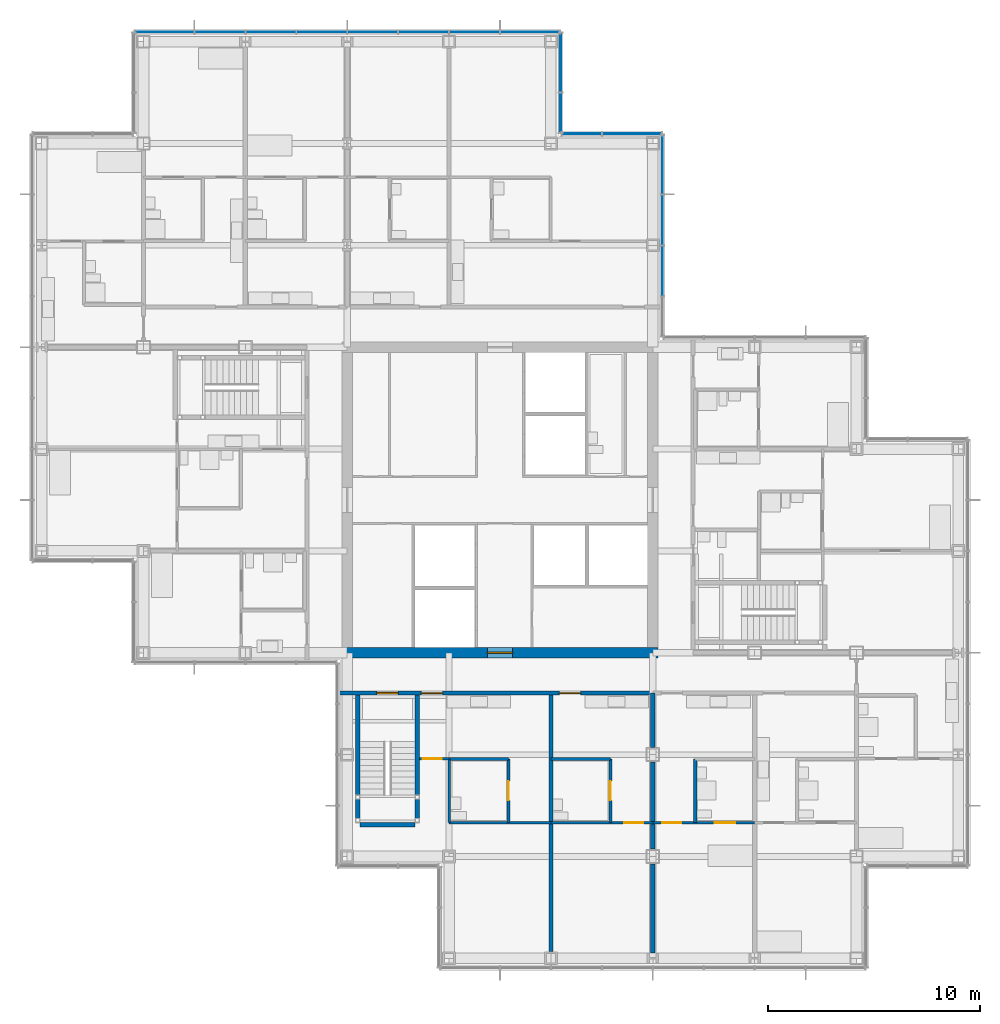
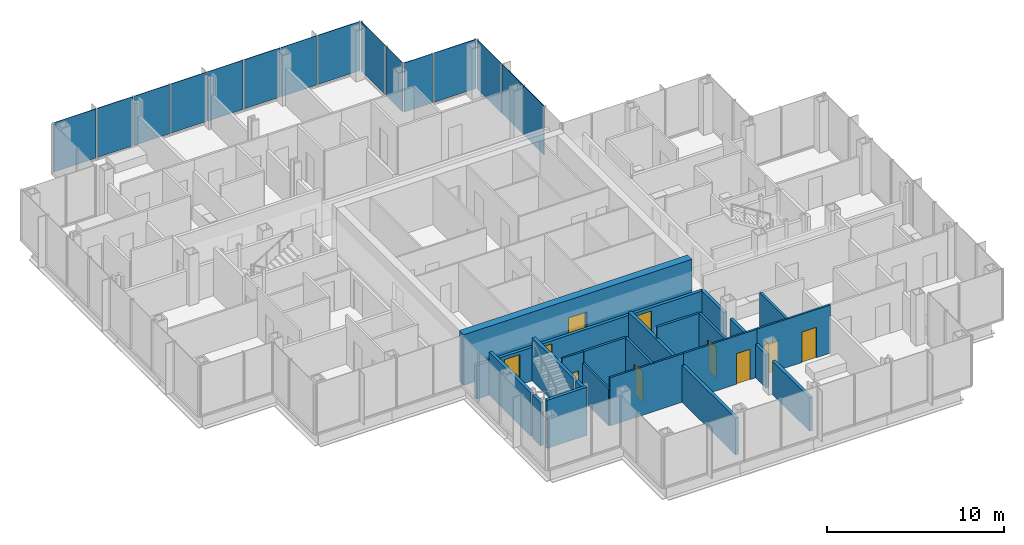
# One storey, part 13 of 20: 21 walls, 15 plates, 10 doors, 10 openings, 4 elements without a shape of their own.
"""IFC4 building model written with IfcOpenShell, lengths in metres."""

from ifc_helpers import new_model, si_unit, direction, frame, frame_2d, origin, origin_2d, place, context, subcontext, project, spatial, rectangle, extrude, material, layer, layer_set, type_object, element, fill, aggregate, save


model = new_model("IFC4")

# Units and contexts
model_context = context("Model", 3, precision=1e-05, world=origin(), true_north=direction((0.0, 1.0)))
body_context = subcontext(model_context, "Body", "Model", "MODEL_VIEW")
ifc_project = project(units=[si_unit("LENGTHUNIT", "METRE"), si_unit("AREAUNIT", "SQUARE_METRE"), si_unit("VOLUMEUNIT", "CUBIC_METRE"), si_unit("PLANEANGLEUNIT", "RADIAN"), si_unit("MASSUNIT", "GRAM", prefix="KILO")], contexts=[model_context])

# Site, building, storey
site_placement = place(None, origin())
site = spatial("IfcSite", under=ifc_project, at=site_placement, CompositionType="ELEMENT")
building_placement = place(site_placement, origin())
building = spatial("IfcBuilding", under=site, at=building_placement, Name="Kvirike Care Tower", CompositionType="ELEMENT")
storey_placement = place(building_placement, frame((0.0, 0.0, 112.0)))
storey = spatial("IfcBuildingStorey", under=building, at=storey_placement, Name="L30", CompositionType="ELEMENT", Elevation=112.0)

# Curtain wall, plates
ifc_material_1 = material(Name="Anodised aluminium stick system", Category="aluminium")
curtain_wall_type = type_object("IfcCurtainWallType", Name="CW-B STICK CURTAIN WALL", PredefinedType="NOTDEFINED", material=ifc_material_1)
curtain_wall_1_placement = place(storey_placement, origin())
curtain_wall_1 = element("IfcCurtainWall", 1, at=curtain_wall_1_placement, inside=storey, type_object=curtain_wall_type, Name="Curtain wall L30 face 5", PredefinedType="NOTDEFINED")
ifc_material_2 = material(Name="Tinted double glazed unit", Category="glass")
ifc_layer_1 = layer(ifc_material_2, 0.035888671875)
ifc_layer_set_1 = layer_set([ifc_layer_1], Name="TINTED VISION PANEL 36")
plate_type = type_object("IfcPlateType", Name="TINTED VISION PANEL 36", PredefinedType="CURTAIN_PANEL", material=ifc_layer_set_1)
plate_1_placement = place(storey_placement, frame((29.260009765625, 46.800048828125, 0.10009765625), z_axis=(0.0, 0.0, 1.0), x_axis=(0.0, 1.0, 0.0)))
plate_1 = element("IfcPlate", 2, at=plate_1_placement, type_object=plate_type, Name="CW-B panel L30 face 5.2", PredefinedType="CURTAIN_PANEL", context=body_context, shape_type="SweptSolid", body=[
    extrude(rectangle(XDim=2.3349609375, YDim=0.035888671875, at=origin_2d()), origin(), (0.0, 0.0, 1.0), 3.39990234375),
])
plate_2_placement = place(storey_placement, frame((29.260009765625, 49.199951171875, 0.10009765625), z_axis=(0.0, 0.0, 1.0), x_axis=(0.0, 1.0, 0.0)))
plate_2 = element("IfcPlate", 3, at=plate_2_placement, type_object=plate_type, Name="CW-B panel L30 face 5.3", PredefinedType="CURTAIN_PANEL", context=body_context, shape_type="SweptSolid", body=[
    extrude(rectangle(XDim=2.3349609375, YDim=0.035888671875, at=origin_2d()), origin(), (0.0, 0.0, 1.0), 3.39990234375),
])
plate_3_placement = place(storey_placement, frame((29.260009765625, 51.813720703125, 0.10009765625), z_axis=(0.0, 0.0, 1.0), x_axis=(0.0, 1.0, 0.0)))
plate_3 = element("IfcPlate", 4, at=plate_3_placement, type_object=plate_type, Name="CW-B panel L30 face 5.4", PredefinedType="CURTAIN_PANEL", context=body_context, shape_type="SweptSolid", body=[
    extrude(rectangle(XDim=2.762451171875, YDim=0.035888671875, at=origin_2d()), origin(), (0.0, 0.0, 1.0), 3.39990234375),
])
aggregate(curtain_wall_1, [plate_1, plate_2, plate_3])

curtain_wall_2_placement = place(storey_placement, origin())
curtain_wall_2 = element("IfcCurtainWall", 5, at=curtain_wall_2_placement, inside=storey, type_object=curtain_wall_type, Name="Curtain wall L30 face 6", PredefinedType="NOTDEFINED")
plate_4_placement = place(storey_placement, frame((27.813720703125, 53.260009765625, 0.10009765625), z_axis=(0.0, 0.0, 1.0), x_axis=(-1.0, 0.0, 0.0)))
plate_4 = element("IfcPlate", 6, at=plate_4_placement, type_object=plate_type, Name="CW-B panel L30 face 6.1", PredefinedType="CURTAIN_PANEL", context=body_context, shape_type="SweptSolid", body=[
    extrude(rectangle(XDim=2.762451171875, YDim=0.035888671875, at=origin_2d()), origin(), (0.0, 0.0, 1.0), 3.39990234375),
])
plate_5_placement = place(storey_placement, frame((25.4462890625, 53.260009765625, 0.10009765625), z_axis=(0.0, 0.0, 1.0), x_axis=(-1.0, 0.0, 0.0)))
plate_5 = element("IfcPlate", 7, at=plate_5_placement, type_object=plate_type, Name="CW-B panel L30 face 6.2", PredefinedType="CURTAIN_PANEL", context=body_context, shape_type="SweptSolid", body=[
    extrude(rectangle(XDim=1.842529296875, YDim=0.035888671875, at=origin_2d()), origin(), (0.0, 0.0, 1.0), 3.39990234375),
])
aggregate(curtain_wall_2, [plate_4, plate_5])

curtain_wall_3_placement = place(storey_placement, origin())
curtain_wall_3 = element("IfcCurtainWall", 8, at=curtain_wall_3_placement, inside=storey, type_object=curtain_wall_type, Name="Curtain wall L30 face 7", PredefinedType="NOTDEFINED")
plate_6_placement = place(storey_placement, frame((24.4599609375, 54.246337890625, 0.10009765625), z_axis=(0.0, 0.0, 1.0), x_axis=(0.0, 1.0, 0.0)))
plate_6 = element("IfcPlate", 9, at=plate_6_placement, type_object=plate_type, Name="CW-B panel L30 face 7.1", PredefinedType="CURTAIN_PANEL", context=body_context, shape_type="SweptSolid", body=[
    extrude(rectangle(XDim=1.842529296875, YDim=0.035888671875, at=origin_2d()), origin(), (0.0, 0.0, 1.0), 3.39990234375),
])
plate_7_placement = place(storey_placement, frame((24.4599609375, 56.61376953125, 0.10009765625), z_axis=(0.0, 0.0, 1.0), x_axis=(0.0, 1.0, 0.0)))
plate_7 = element("IfcPlate", 10, at=plate_7_placement, type_object=plate_type, Name="CW-B panel L30 face 7.2", PredefinedType="CURTAIN_PANEL", context=body_context, shape_type="SweptSolid", body=[
    extrude(rectangle(XDim=2.762451171875, YDim=0.035888671875, at=origin_2d()), origin(), (0.0, 0.0, 1.0), 3.39990234375),
])
aggregate(curtain_wall_3, [plate_6, plate_7])

curtain_wall_4_placement = place(storey_placement, origin())
curtain_wall_4 = element("IfcCurtainWall", 11, at=curtain_wall_4_placement, inside=storey, type_object=curtain_wall_type, Name="Curtain wall L30 face 8", PredefinedType="NOTDEFINED")
plate_8_placement = place(storey_placement, frame((23.013671875, 58.06005859375, 0.10009765625), z_axis=(0.0, 0.0, 1.0), x_axis=(-1.0, 0.0, 0.0)))
plate_8 = element("IfcPlate", 12, at=plate_8_placement, type_object=plate_type, Name="CW-B panel L30 face 8.1", PredefinedType="CURTAIN_PANEL", context=body_context, shape_type="SweptSolid", body=[
    extrude(rectangle(XDim=2.762451171875, YDim=0.035888671875, at=origin_2d()), origin(), (0.0, 0.0, 1.0), 3.39990234375),
])
plate_9_placement = place(storey_placement, frame((20.39990234375, 58.06005859375, 0.10009765625), z_axis=(0.0, 0.0, 1.0), x_axis=(-1.0, 0.0, 0.0)))
plate_9 = element("IfcPlate", 13, at=plate_9_placement, type_object=plate_type, Name="CW-B panel L30 face 8.2", PredefinedType="CURTAIN_PANEL", context=body_context, shape_type="SweptSolid", body=[
    extrude(rectangle(XDim=2.3349609375, YDim=0.035888671875, at=origin_2d()), origin(), (0.0, 0.0, 1.0), 3.39990234375),
])
plate_10_placement = place(storey_placement, frame((18.0, 58.06005859375, 0.10009765625), z_axis=(0.0, 0.0, 1.0), x_axis=(-1.0, 0.0, 0.0)))
plate_10 = element("IfcPlate", 14, at=plate_10_placement, type_object=plate_type, Name="CW-B panel L30 face 8.3", PredefinedType="CURTAIN_PANEL", context=body_context, shape_type="SweptSolid", body=[
    extrude(rectangle(XDim=2.3349609375, YDim=0.035888671875, at=origin_2d()), origin(), (0.0, 0.0, 1.0), 3.39990234375),
])
plate_11_placement = place(storey_placement, frame((15.60009765625, 58.06005859375, 0.10009765625), z_axis=(0.0, 0.0, 1.0), x_axis=(-1.0, 0.0, 0.0)))
plate_11 = element("IfcPlate", 15, at=plate_11_placement, type_object=plate_type, Name="CW-B panel L30 face 8.4", PredefinedType="CURTAIN_PANEL", context=body_context, shape_type="SweptSolid", body=[
    extrude(rectangle(XDim=2.3349609375, YDim=0.035888671875, at=origin_2d()), origin(), (0.0, 0.0, 1.0), 3.39990234375),
])
plate_12_placement = place(storey_placement, frame((13.199951171875, 58.06005859375, 0.10009765625), z_axis=(0.0, 0.0, 1.0), x_axis=(-1.0, 0.0, 0.0)))
plate_12 = element("IfcPlate", 16, at=plate_12_placement, type_object=plate_type, Name="CW-B panel L30 face 8.5", PredefinedType="CURTAIN_PANEL", context=body_context, shape_type="SweptSolid", body=[
    extrude(rectangle(XDim=2.3349609375, YDim=0.035888671875, at=origin_2d()), origin(), (0.0, 0.0, 1.0), 3.39990234375),
])
plate_13_placement = place(storey_placement, frame((10.800048828125, 58.06005859375, 0.10009765625), z_axis=(0.0, 0.0, 1.0), x_axis=(-1.0, 0.0, 0.0)))
plate_13 = element("IfcPlate", 17, at=plate_13_placement, type_object=plate_type, Name="CW-B panel L30 face 8.6", PredefinedType="CURTAIN_PANEL", context=body_context, shape_type="SweptSolid", body=[
    extrude(rectangle(XDim=2.3349609375, YDim=0.035888671875, at=origin_2d()), origin(), (0.0, 0.0, 1.0), 3.39990234375),
])
plate_14_placement = place(storey_placement, frame((8.39990234375, 58.06005859375, 0.10009765625), z_axis=(0.0, 0.0, 1.0), x_axis=(-1.0, 0.0, 0.0)))
plate_14 = element("IfcPlate", 18, at=plate_14_placement, type_object=plate_type, Name="CW-B panel L30 face 8.7", PredefinedType="CURTAIN_PANEL", context=body_context, shape_type="SweptSolid", body=[
    extrude(rectangle(XDim=2.3349609375, YDim=0.035888671875, at=origin_2d()), origin(), (0.0, 0.0, 1.0), 3.39990234375),
])
plate_15_placement = place(storey_placement, frame((5.7861328125, 58.06005859375, 0.10009765625), z_axis=(0.0, 0.0, 1.0), x_axis=(-1.0, 0.0, 0.0)))
plate_15 = element("IfcPlate", 19, at=plate_15_placement, type_object=plate_type, Name="CW-B panel L30 face 8.8", PredefinedType="CURTAIN_PANEL", context=body_context, shape_type="SweptSolid", body=[
    extrude(rectangle(XDim=2.762451171875, YDim=0.035888671875, at=origin_2d()), origin(), (0.0, 0.0, 1.0), 3.39990234375),
])
aggregate(curtain_wall_4, [plate_8, plate_9, plate_10, plate_11, plate_12, plate_13, plate_14, plate_15])

# Wall, opening, door
ifc_material_3 = material(Name="Moisture-resistant board partition", Category="gypsum")
ifc_layer_2 = layer(ifc_material_3, 0.14990234375)
ifc_layer_set_2 = layer_set([ifc_layer_2], Name="BATHROOM WALL 150")
wall_type_1 = type_object("IfcWallType", Name="BATHROOM WALL 150", PredefinedType="PARTITIONING", material=ifc_layer_set_2)
wall_1_placement = place(storey_placement, frame((22.0, 20.800048828125, 0.0), z_axis=(0.0, 0.0, 1.0), x_axis=(0.0, 1.0, 0.0)))
wall_1 = element("IfcWall", 20, at=wall_1_placement, inside=storey, type_object=wall_type_1, Name="Bathroom Wall 150 L30", PredefinedType="PARTITIONING", context=body_context, shape_type="SweptSolid", body=[
    extrude(rectangle(XDim=3.0, YDim=0.14990234375, at=frame_2d((1.5, 0.0))), origin(), (0.0, 0.0, 1.0), 3.330078125),
])
opening_1_placement = place(wall_1_placement, frame((1.050048828125, 0.0, 0.0)))
opening_1 = element("IfcOpeningElement", 21, at=opening_1_placement, cuts=wall_1, Name="Opening 30-019", PredefinedType="OPENING", context=body_context, shape_type="SweptSolid", body=[
    extrude(rectangle(XDim=0.89990234375, YDim=2.10009765625, at=frame_2d((0.449951171875, 1.050048828125))), frame((0.0, 0.08544921875, 0.0), z_axis=(0.0, -1.0, 0.0), x_axis=(1.0, 0.0, 0.0)), (0.0, 0.0, 1.0), 0.1708984375),
])
ifc_material_4 = material(Name="Timber door set", Category="wood")
door_type_1 = type_object("IfcDoorType", Name="BATHROOM DOOR 900", OperationType="SINGLE_SWING_RIGHT", PredefinedType="DOOR", material=ifc_material_4)
door_1_placement = place(opening_1_placement, origin())
door_1 = element("IfcDoor", 22, at=door_1_placement, inside=storey, type_object=door_type_1, Name="Accessible WC door", OperationType="SINGLE_SWING_RIGHT", OverallHeight=2.10009765625, OverallWidth=0.89990234375, PredefinedType="DOOR", context=body_context, shape_type="SweptSolid", body=[
    extrude(rectangle(XDim=0.89990234375, YDim=2.10009765625, at=frame_2d((0.449951171875, 1.050048828125))), frame((0.0, 0.02197265625, 0.0), z_axis=(0.0, -1.0, 0.0), x_axis=(1.0, 0.0, 0.0)), (0.0, 0.0, 1.0), 0.0439453125),
])
fill(opening_1, door_1)

# Wall
wall_2_placement = place(storey_placement, frame((19.199951171875, 23.800048828125, 0.0), z_axis=(0.0, 0.0, 1.0), x_axis=(1.0, 0.0, 0.0)))
element("IfcWall", 23, at=wall_2_placement, inside=storey, type_object=wall_type_1, Name="Bathroom Wall 150 L30", PredefinedType="PARTITIONING", context=body_context, shape_type="SweptSolid", body=[
    extrude(rectangle(XDim=2.800048828125, YDim=0.14990234375, at=frame_2d((1.39990234375, 0.0))), origin(), (0.0, 0.0, 1.0), 3.330078125),
])

# Wall, opening, door
wall_3_placement = place(storey_placement, frame((26.800048828125, 20.800048828125, 0.0), z_axis=(0.0, 0.0, 1.0), x_axis=(0.0, 1.0, 0.0)))
wall_3 = element("IfcWall", 24, at=wall_3_placement, inside=storey, type_object=wall_type_1, Name="Bathroom Wall 150 L30", PredefinedType="PARTITIONING", context=body_context, shape_type="SweptSolid", body=[
    extrude(rectangle(XDim=3.0, YDim=0.14990234375, at=frame_2d((1.5, 0.0))), origin(), (0.0, 0.0, 1.0), 3.330078125),
])
opening_2_placement = place(wall_3_placement, frame((1.050048828125, 0.0, 0.0)))
opening_2 = element("IfcOpeningElement", 25, at=opening_2_placement, cuts=wall_3, Name="Opening 30-021", PredefinedType="OPENING", context=body_context, shape_type="SweptSolid", body=[
    extrude(rectangle(XDim=0.89990234375, YDim=2.10009765625, at=frame_2d((0.449951171875, 1.050048828125))), frame((0.0, 0.08544921875, 0.0), z_axis=(0.0, -1.0, 0.0), x_axis=(1.0, 0.0, 0.0)), (0.0, 0.0, 1.0), 0.1708984375),
])
door_2_placement = place(opening_2_placement, origin())
door_2 = element("IfcDoor", 26, at=door_2_placement, inside=storey, type_object=door_type_1, Name="Staff WC door", OperationType="SINGLE_SWING_RIGHT", OverallHeight=2.10009765625, OverallWidth=0.89990234375, PredefinedType="DOOR", context=body_context, shape_type="SweptSolid", body=[
    extrude(rectangle(XDim=0.89990234375, YDim=2.10009765625, at=frame_2d((0.449951171875, 1.050048828125))), frame((0.0, 0.02197265625, 0.0), z_axis=(0.0, -1.0, 0.0), x_axis=(1.0, 0.0, 0.0)), (0.0, 0.0, 1.0), 0.0439453125),
])
fill(opening_2, door_2)

# Walls
wall_4_placement = place(storey_placement, frame((24.0, 23.800048828125, 0.0), z_axis=(0.0, 0.0, 1.0), x_axis=(1.0, 0.0, 0.0)))
element("IfcWall", 27, at=wall_4_placement, inside=storey, type_object=wall_type_1, Name="Bathroom Wall 150 L30", PredefinedType="PARTITIONING", context=body_context, shape_type="SweptSolid", body=[
    extrude(rectangle(XDim=2.800048828125, YDim=0.14990234375, at=frame_2d((1.39990234375, 0.0))), origin(), (0.0, 0.0, 1.0), 3.330078125),
])
wall_5_placement = place(storey_placement, frame((30.800048828125, 20.800048828125, 0.0), z_axis=(0.0, 0.0, 1.0), x_axis=(0.0, 1.0, 0.0)))
element("IfcWall", 28, at=wall_5_placement, inside=storey, type_object=wall_type_1, Name="Bathroom Wall 150 L30", PredefinedType="PARTITIONING", context=body_context, shape_type="SweptSolid", body=[
    extrude(rectangle(XDim=3.0, YDim=0.14990234375, at=frame_2d((1.5, 0.0))), origin(), (0.0, 0.0, 1.0), 3.330078125),
])

# Wall, opening, door
ifc_material_5 = material(Name="Concrete C50/60", Category="concrete")
ifc_layer_3 = layer(ifc_material_5, 0.5)
ifc_layer_set_3 = layer_set([ifc_layer_3], Name="CORE WALL 500 C50-60")
wall_type_2 = type_object("IfcWallType", Name="CORE WALL 500 C50-60", PredefinedType="SHEAR", material=ifc_layer_set_3)
wall_6_placement = place(storey_placement, frame((14.14990234375, 28.800048828125, -0.169921875), z_axis=(0.0, 0.0, 1.0), x_axis=(1.0, 0.0, 0.0)))
wall_6 = element("IfcWall", 29, at=wall_6_placement, inside=storey, type_object=wall_type_2, Name="Core wall S L30", PredefinedType="SHEAR", context=body_context, shape_type="SweptSolid", body=[
    extrude(rectangle(XDim=14.900146484375, YDim=0.5, at=frame_2d((7.4501953125, 0.0))), origin(), (0.0, 0.0, 1.0), 3.5),
])
opening_3_placement = place(wall_6_placement, frame((6.85009765625, 0.0, 0.169921875)))
opening_3 = element("IfcOpeningElement", 30, at=opening_3_placement, cuts=wall_6, Name="Opening 30-062", PredefinedType="OPENING", context=body_context, shape_type="SweptSolid", body=[
    extrude(rectangle(XDim=1.199951171875, YDim=2.10009765625, at=frame_2d((0.60009765625, 1.050048828125))), frame((0.0, 0.260498046875, 0.0), z_axis=(0.0, -1.0, 0.0), x_axis=(1.0, 0.0, 0.0)), (0.0, 0.0, 1.0), 0.52099609375),
])
ifc_material_6 = material(Name="Timber door set", Category="wood")
door_type_2 = type_object("IfcDoorType", Name="CORE DOOR 1200", OperationType="SINGLE_SWING_LEFT", PredefinedType="DOOR", material=ifc_material_6)
door_3_placement = place(opening_3_placement, origin())
door_3 = element("IfcDoor", 31, at=door_3_placement, inside=storey, type_object=door_type_2, Name="Core door S L30", OperationType="SINGLE_SWING_LEFT", OverallHeight=2.10009765625, OverallWidth=1.199951171875, PredefinedType="DOOR", context=body_context, shape_type="SweptSolid", body=[
    extrude(rectangle(XDim=1.199951171875, YDim=2.10009765625, at=frame_2d((0.60009765625, 1.050048828125))), frame((0.0, 0.02685546875, 0.0), z_axis=(0.0, -1.0, 0.0), x_axis=(1.0, 0.0, 0.0)), (0.0, 0.0, 1.0), 0.053955078125),
])
fill(opening_3, door_3)

# Wall, openings, doors
ifc_material_7 = material(Name="Plasterboard corridor wall", Category="gypsum")
ifc_layer_4 = layer(ifc_material_7, 0.199951171875)
ifc_layer_set_4 = layer_set([ifc_layer_4], Name="CORRIDOR WALL 200")
wall_type_3 = type_object("IfcWallType", Name="CORRIDOR WALL 200", PredefinedType="PARTITIONING", material=ifc_layer_set_4)
wall_7_placement = place(storey_placement, frame((13.9599609375, 26.89990234375, 0.0), z_axis=(0.0, 0.0, 1.0), x_axis=(1.0, 0.0, 0.0)))
wall_7 = element("IfcWall", 32, at=wall_7_placement, inside=storey, type_object=wall_type_3, Name="Corridor Wall 200 L30", PredefinedType="PARTITIONING", context=body_context, shape_type="SweptSolid", body=[
    extrude(rectangle(XDim=14.840087890625, YDim=0.199951171875, at=frame_2d((7.419921875, 0.0))), origin(), (0.0, 0.0, 1.0), 2.320068359375),
])
opening_4_placement = place(wall_7_placement, frame((1.840087890625, 0.0, 0.0)))
opening_4 = element("IfcOpeningElement", 33, at=opening_4_placement, cuts=wall_7, Name="Opening 30-023", PredefinedType="OPENING", context=body_context, shape_type="SweptSolid", body=[
    extrude(rectangle(XDim=1.0, YDim=2.10009765625, at=frame_2d((0.5, 1.050048828125))), frame((0.0, 0.110595703125, 0.0), z_axis=(0.0, -1.0, 0.0), x_axis=(1.0, 0.0, 0.0)), (0.0, 0.0, 1.0), 0.220947265625),
])
opening_5_placement = place(wall_7_placement, frame((3.93994140625, 0.0, 0.0)))
opening_5 = element("IfcOpeningElement", 34, at=opening_5_placement, cuts=wall_7, Name="Opening 30-024", PredefinedType="OPENING", context=body_context, shape_type="SweptSolid", body=[
    extrude(rectangle(XDim=1.0, YDim=2.10009765625, at=frame_2d((0.5, 1.050048828125))), frame((0.0, 0.110595703125, 0.0), z_axis=(0.0, -1.0, 0.0), x_axis=(1.0, 0.0, 0.0)), (0.0, 0.0, 1.0), 0.220947265625),
])
opening_6_placement = place(wall_7_placement, frame((10.43994140625, 0.0, 0.0)))
opening_6 = element("IfcOpeningElement", 35, at=opening_6_placement, cuts=wall_7, Name="Opening 30-025", PredefinedType="OPENING", context=body_context, shape_type="SweptSolid", body=[
    extrude(rectangle(XDim=1.0, YDim=2.10009765625, at=frame_2d((0.5, 1.050048828125))), frame((0.0, 0.110595703125, 0.0), z_axis=(0.0, -1.0, 0.0), x_axis=(1.0, 0.0, 0.0)), (0.0, 0.0, 1.0), 0.220947265625),
])
ifc_material_8 = material(Name="Timber door set", Category="wood")
door_type_3 = type_object("IfcDoorType", Name="FLAT ENTRANCE DOOR 1000", OperationType="SINGLE_SWING_LEFT", PredefinedType="DOOR", material=ifc_material_8)
door_4_placement = place(opening_5_placement, frame((1.0, 0.0, 0.0), z_axis=(0.0, 0.0, 1.0), x_axis=(-1.0, 0.0, 0.0)))
door_4 = element("IfcDoor", 36, at=door_4_placement, inside=storey, type_object=door_type_3, Name="Household lounge entrance", OperationType="SINGLE_SWING_LEFT", OverallHeight=2.10009765625, OverallWidth=1.0, PredefinedType="DOOR", context=body_context, shape_type="SweptSolid", body=[
    extrude(rectangle(XDim=1.0, YDim=2.10009765625, at=frame_2d((0.5, 1.050048828125))), frame((0.0, 0.02685546875, 0.0), z_axis=(0.0, -1.0, 0.0), x_axis=(1.0, 0.0, 0.0)), (0.0, 0.0, 1.0), 0.053955078125),
])
fill(opening_5, door_4)
door_5_placement = place(opening_6_placement, frame((1.0, 0.0, 0.0), z_axis=(0.0, 0.0, 1.0), x_axis=(-1.0, 0.0, 0.0)))
door_5 = element("IfcDoor", 37, at=door_5_placement, inside=storey, type_object=door_type_3, Name="Household dining entrance", OperationType="SINGLE_SWING_LEFT", OverallHeight=2.10009765625, OverallWidth=1.0, PredefinedType="DOOR", context=body_context, shape_type="SweptSolid", body=[
    extrude(rectangle(XDim=1.0, YDim=2.10009765625, at=frame_2d((0.5, 1.050048828125))), frame((0.0, 0.02685546875, 0.0), z_axis=(0.0, -1.0, 0.0), x_axis=(1.0, 0.0, 0.0)), (0.0, 0.0, 1.0), 0.053955078125),
])
fill(opening_6, door_5)
ifc_material_9 = material(Name="Timber door set", Category="wood")
door_type_4 = type_object("IfcDoorType", Name="STAIR DOOR 1000", OperationType="SINGLE_SWING_LEFT", PredefinedType="DOOR", material=ifc_material_9)
door_6_placement = place(opening_4_placement, frame((1.0, 0.0, 0.0), z_axis=(0.0, 0.0, 1.0), x_axis=(-1.0, 0.0, 0.0)))
door_6 = element("IfcDoor", 38, at=door_6_placement, inside=storey, type_object=door_type_4, Name="Stair 5 door", OperationType="SINGLE_SWING_LEFT", OverallHeight=2.10009765625, OverallWidth=1.0, PredefinedType="DOOR", context=body_context, shape_type="SweptSolid", body=[
    extrude(rectangle(XDim=1.0, YDim=2.10009765625, at=frame_2d((0.5, 1.050048828125))), frame((0.0, 0.031982421875, 0.0), z_axis=(0.0, -1.0, 0.0), x_axis=(1.0, 0.0, 0.0)), (0.0, 0.0, 1.0), 0.06396484375),
])
fill(opening_4, door_6)

# Wall, opening, door
ifc_material_10 = material(Name="Plasterboard partition", Category="gypsum")
ifc_layer_5 = layer(ifc_material_10, 0.1201171875)
ifc_layer_set_5 = layer_set([ifc_layer_5], Name="PARTITION 120")
wall_type_4 = type_object("IfcWallType", Name="PARTITION 120", PredefinedType="PARTITIONING", material=ifc_layer_set_5)
wall_8_placement = place(storey_placement, frame((17.800048828125, 23.800048828125, 0.0), z_axis=(0.0, 0.0, 1.0), x_axis=(1.0, 0.0, 0.0)))
wall_8 = element("IfcWall", 39, at=wall_8_placement, inside=storey, type_object=wall_type_4, Name="Partition 120 L30", PredefinedType="PARTITIONING", context=body_context, shape_type="SweptSolid", body=[
    extrude(rectangle(XDim=1.39990234375, YDim=0.1201171875, at=frame_2d((0.699951171875, 0.0))), origin(), (0.0, 0.0, 1.0), 3.330078125),
])
opening_7_placement = place(wall_8_placement, frame((0.14990234375, 0.0, 0.0)))
opening_7 = element("IfcOpeningElement", 40, at=opening_7_placement, cuts=wall_8, Name="Opening 30-020", PredefinedType="OPENING", context=body_context, shape_type="SweptSolid", body=[
    extrude(rectangle(XDim=0.89990234375, YDim=2.10009765625, at=frame_2d((0.449951171875, 1.050048828125))), frame((0.0, 0.070556640625, 0.0), z_axis=(0.0, -1.0, 0.0), x_axis=(1.0, 0.0, 0.0)), (0.0, 0.0, 1.0), 0.14111328125),
])
ifc_material_11 = material(Name="Timber door set", Category="wood")
door_type_5 = type_object("IfcDoorType", Name="INTERNAL DOOR 900", OperationType="SINGLE_SWING_LEFT", PredefinedType="DOOR", material=ifc_material_11)
door_7_placement = place(opening_7_placement, origin())
door_7 = element("IfcDoor", 41, at=door_7_placement, inside=storey, type_object=door_type_5, Name="Household lounge door", OperationType="SINGLE_SWING_RIGHT", OverallHeight=2.10009765625, OverallWidth=0.89990234375, PredefinedType="DOOR", context=body_context, shape_type="SweptSolid", body=[
    extrude(rectangle(XDim=0.89990234375, YDim=2.10009765625, at=frame_2d((0.449951171875, 1.050048828125))), frame((0.0, 0.02197265625, 0.0), z_axis=(0.0, -1.0, 0.0), x_axis=(1.0, 0.0, 0.0)), (0.0, 0.0, 1.0), 0.0439453125),
])
fill(opening_7, door_7)

# Walls
wall_9_placement = place(storey_placement, frame((19.199951171875, 20.800048828125, 0.0), z_axis=(0.0, 0.0, 1.0), x_axis=(1.0, 0.0, 0.0)))
element("IfcWall", 42, at=wall_9_placement, inside=storey, type_object=wall_type_4, Name="Partition 120 L30", PredefinedType="PARTITIONING", context=body_context, shape_type="SweptSolid", body=[
    extrude(rectangle(XDim=4.800048828125, YDim=0.1201171875, at=frame_2d((2.39990234375, 0.0))), origin(), (0.0, 0.0, 1.0), 3.330078125),
])
wall_10_placement = place(storey_placement, frame((19.199951171875, 20.800048828125, 0.0), z_axis=(0.0, 0.0, 1.0), x_axis=(0.0, 1.0, 0.0)))
element("IfcWall", 43, at=wall_10_placement, inside=storey, type_object=wall_type_4, Name="Partition 120 L30", PredefinedType="PARTITIONING", context=body_context, shape_type="SweptSolid", body=[
    extrude(rectangle(XDim=3.0, YDim=0.1201171875, at=frame_2d((1.5, 0.0))), origin(), (0.0, 0.0, 1.0), 2.550048828125),
])

# Wall, opening, door
wall_11_placement = place(storey_placement, frame((24.0, 20.800048828125, 0.0), z_axis=(0.0, 0.0, 1.0), x_axis=(1.0, 0.0, 0.0)))
wall_11 = element("IfcWall", 44, at=wall_11_placement, inside=storey, type_object=wall_type_4, Name="Partition 120 L30", PredefinedType="PARTITIONING", context=body_context, shape_type="SweptSolid", body=[
    extrude(rectangle(XDim=4.800048828125, YDim=0.1201171875, at=frame_2d((2.39990234375, 0.0))), origin(), (0.0, 0.0, 1.0), 3.330078125),
])
opening_8_placement = place(wall_11_placement, frame((3.449951171875, 0.0, 0.0)))
opening_8 = element("IfcOpeningElement", 45, at=opening_8_placement, cuts=wall_11, Name="Opening 30-022", PredefinedType="OPENING", context=body_context, shape_type="SweptSolid", body=[
    extrude(rectangle(XDim=0.89990234375, YDim=2.10009765625, at=frame_2d((0.449951171875, 1.050048828125))), frame((0.0, 0.070556640625, 0.0), z_axis=(0.0, -1.0, 0.0), x_axis=(1.0, 0.0, 0.0)), (0.0, 0.0, 1.0), 0.14111328125),
])
door_8_placement = place(opening_8_placement, origin())
door_8 = element("IfcDoor", 46, at=door_8_placement, inside=storey, type_object=door_type_5, Name="Household dining room door", OperationType="SINGLE_SWING_RIGHT", OverallHeight=2.10009765625, OverallWidth=0.89990234375, PredefinedType="DOOR", context=body_context, shape_type="SweptSolid", body=[
    extrude(rectangle(XDim=0.89990234375, YDim=2.10009765625, at=frame_2d((0.449951171875, 1.050048828125))), frame((0.0, 0.02197265625, 0.0), z_axis=(0.0, -1.0, 0.0), x_axis=(1.0, 0.0, 0.0)), (0.0, 0.0, 1.0), 0.0439453125),
])
fill(opening_8, door_8)

# Wall, openings, doors
wall_12_placement = place(storey_placement, frame((28.800048828125, 20.800048828125, 0.0), z_axis=(0.0, 0.0, 1.0), x_axis=(1.0, 0.0, 0.0)))
wall_12 = element("IfcWall", 47, at=wall_12_placement, inside=storey, type_object=wall_type_4, Name="Partition 120 L30", PredefinedType="PARTITIONING", context=body_context, shape_type="SweptSolid", body=[
    extrude(rectangle(XDim=4.800048828125, YDim=0.1201171875, at=frame_2d((2.39990234375, 0.0))), origin(), (0.0, 0.0, 1.0), 3.330078125),
])
opening_9_placement = place(wall_12_placement, frame((0.449951171875, 0.0, 0.0)))
opening_9 = element("IfcOpeningElement", 48, at=opening_9_placement, cuts=wall_12, Name="Opening 30-032", PredefinedType="OPENING", context=body_context, shape_type="SweptSolid", body=[
    extrude(rectangle(XDim=0.89990234375, YDim=2.10009765625, at=frame_2d((0.449951171875, 1.050048828125))), frame((0.0, 0.070556640625, 0.0), z_axis=(0.0, -1.0, 0.0), x_axis=(1.0, 0.0, 0.0)), (0.0, 0.0, 1.0), 0.14111328125),
])
opening_10_placement = place(wall_12_placement, frame((2.925048828125, 0.0, 0.0)))
opening_10 = element("IfcOpeningElement", 49, at=opening_10_placement, cuts=wall_12, Name="Opening 30-033", PredefinedType="OPENING", context=body_context, shape_type="SweptSolid", body=[
    extrude(rectangle(XDim=0.949951171875, YDim=2.10009765625, at=frame_2d((0.47509765625, 1.050048828125))), frame((0.0, 0.070556640625, 0.0), z_axis=(0.0, -1.0, 0.0), x_axis=(1.0, 0.0, 0.0)), (0.0, 0.0, 1.0), 0.14111328125),
])
ifc_material_12 = material(Name="Timber door set", Category="wood")
door_type_6 = type_object("IfcDoorType", Name="EN-SUITE SLIDING DOOR 950", OperationType="SLIDING_TO_LEFT", PredefinedType="DOOR", material=ifc_material_12)
door_9_placement = place(opening_10_placement, origin())
door_9 = element("IfcDoor", 50, at=door_9_placement, inside=storey, type_object=door_type_6, Name="En-suite door", OperationType="SLIDING_TO_RIGHT", OverallHeight=2.10009765625, OverallWidth=0.949951171875, PredefinedType="DOOR", context=body_context, shape_type="SweptSolid", body=[
    extrude(rectangle(XDim=0.949951171875, YDim=2.10009765625, at=frame_2d((0.47509765625, 1.050048828125))), frame((0.0, 0.02197265625, 0.0), z_axis=(0.0, -1.0, 0.0), x_axis=(1.0, 0.0, 0.0)), (0.0, 0.0, 1.0), 0.0439453125),
])
fill(opening_10, door_9)
door_10_placement = place(opening_9_placement, origin())
door_10 = element("IfcDoor", 51, at=door_10_placement, inside=storey, type_object=door_type_5, Name="Assisted living suite door", OperationType="SINGLE_SWING_LEFT", OverallHeight=2.10009765625, OverallWidth=0.89990234375, PredefinedType="DOOR", context=body_context, shape_type="SweptSolid", body=[
    extrude(rectangle(XDim=0.89990234375, YDim=2.10009765625, at=frame_2d((0.449951171875, 1.050048828125))), frame((0.0, 0.02197265625, 0.0), z_axis=(0.0, -1.0, 0.0), x_axis=(1.0, 0.0, 0.0)), (0.0, 0.0, 1.0), 0.0439453125),
])
fill(opening_9, door_10)

# Walls
ifc_material_13 = material(Name="Plasterboard party wall", Category="gypsum")
ifc_layer_6 = layer(ifc_material_13, 0.199951171875)
ifc_layer_set_6 = layer_set([ifc_layer_6], Name="PARTY WALL 200")
wall_type_5 = type_object("IfcWallType", Name="PARTY WALL 200", PredefinedType="PARTITIONING", material=ifc_layer_set_6)
wall_13_placement = place(storey_placement, frame((24.0, 14.719970703125, 0.0), z_axis=(0.0, 0.0, 1.0), x_axis=(0.0, 1.0, 0.0)))
element("IfcWall", 52, at=wall_13_placement, inside=storey, type_object=wall_type_5, Name="Party Wall 200 L30", PredefinedType="PARTITIONING", context=body_context, shape_type="SweptSolid", body=[
    extrude(rectangle(XDim=12.080078125, YDim=0.199951171875, at=frame_2d((6.0400390625, 0.0))), origin(), (0.0, 0.0, 1.0), 2.550048828125),
])
wall_14_placement = place(storey_placement, frame((28.800048828125, 14.64404296875, 0.0), z_axis=(0.0, 0.0, 1.0), x_axis=(0.0, 1.0, 0.0)))
element("IfcWall", 53, at=wall_14_placement, inside=storey, type_object=wall_type_5, Name="Party Wall 200 L30", PredefinedType="PARTITIONING", context=body_context, shape_type="SweptSolid", body=[
    extrude(rectangle(XDim=4.2109375, YDim=0.199951171875, at=frame_2d((2.10546875, 0.0))), origin(), (0.0, 0.0, 1.0), 2.320068359375),
])
wall_15_placement = place(storey_placement, frame((28.800048828125, 19.544921875, 0.0), z_axis=(0.0, 0.0, 1.0), x_axis=(0.0, 1.0, 0.0)))
element("IfcWall", 54, at=wall_15_placement, inside=storey, type_object=wall_type_5, Name="Party Wall 200 L30", PredefinedType="PARTITIONING", context=body_context, shape_type="SweptSolid", body=[
    extrude(rectangle(XDim=4.110107421875, YDim=0.199951171875, at=frame_2d((2.05517578125, 0.0))), origin(), (0.0, 0.0, 1.0), 2.320068359375),
])
wall_16_placement = place(storey_placement, frame((28.800048828125, 24.344970703125, 0.0), z_axis=(0.0, 0.0, 1.0), x_axis=(0.0, 1.0, 0.0)))
element("IfcWall", 55, at=wall_16_placement, inside=storey, type_object=wall_type_5, Name="Party Wall 200 L30", PredefinedType="PARTITIONING", context=body_context, shape_type="SweptSolid", body=[
    extrude(rectangle(XDim=2.554931640625, YDim=0.199951171875, at=frame_2d((1.27734375, 0.0))), origin(), (0.0, 0.0, 1.0), 2.320068359375),
])
ifc_material_14 = material(Name="Concrete C40/50", Category="concrete")
ifc_layer_7 = layer(ifc_material_14, 0.199951171875)
ifc_layer_set_7 = layer_set([ifc_layer_7], Name="STAIR WALL 200")
wall_type_6 = type_object("IfcWallType", Name="STAIR WALL 200", PredefinedType="SOLIDWALL", material=ifc_layer_set_7)
wall_17_placement = place(storey_placement, frame((14.89990234375, 21.0, 0.0), z_axis=(0.0, 0.0, 1.0), x_axis=(0.0, 1.0, 0.0)))
element("IfcWall", 56, at=wall_17_placement, inside=storey, type_object=wall_type_6, Name="Stair Wall 200 L30", PredefinedType="SOLIDWALL", context=body_context, shape_type="SweptSolid", body=[
    extrude(rectangle(XDim=0.89990234375, YDim=0.199951171875, at=frame_2d((0.449951171875, 0.0))), origin(), (0.0, 0.0, 1.0), 2.989990234375),
])
wall_18_placement = place(storey_placement, frame((14.89990234375, 22.10009765625, 0.0), z_axis=(0.0, 0.0, 1.0), x_axis=(0.0, 1.0, 0.0)))
element("IfcWall", 57, at=wall_18_placement, inside=storey, type_object=wall_type_6, Name="Stair Wall 200 L30", PredefinedType="SOLIDWALL", context=body_context, shape_type="SweptSolid", body=[
    extrude(rectangle(XDim=4.699951171875, YDim=0.199951171875, at=frame_2d((2.35009765625, 0.0))), origin(), (0.0, 0.0, 1.0), 2.989990234375),
])
wall_19_placement = place(storey_placement, frame((17.699951171875, 21.0, 0.0), z_axis=(0.0, 0.0, 1.0), x_axis=(0.0, 1.0, 0.0)))
element("IfcWall", 58, at=wall_19_placement, inside=storey, type_object=wall_type_6, Name="Stair Wall 200 L30", PredefinedType="SOLIDWALL", context=body_context, shape_type="SweptSolid", body=[
    extrude(rectangle(XDim=0.89990234375, YDim=0.199951171875, at=frame_2d((0.449951171875, 0.0))), origin(), (0.0, 0.0, 1.0), 2.989990234375),
])
wall_20_placement = place(storey_placement, frame((17.699951171875, 22.10009765625, 0.0), z_axis=(0.0, 0.0, 1.0), x_axis=(0.0, 1.0, 0.0)))
element("IfcWall", 59, at=wall_20_placement, inside=storey, type_object=wall_type_6, Name="Stair Wall 200 L30", PredefinedType="SOLIDWALL", context=body_context, shape_type="SweptSolid", body=[
    extrude(rectangle(XDim=4.699951171875, YDim=0.199951171875, at=frame_2d((2.35009765625, 0.0))), origin(), (0.0, 0.0, 1.0), 2.989990234375),
])
wall_21_placement = place(storey_placement, frame((15.0, 20.699951171875, 0.0), z_axis=(0.0, 0.0, 1.0), x_axis=(1.0, 0.0, 0.0)))
element("IfcWall", 60, at=wall_21_placement, inside=storey, type_object=wall_type_6, Name="Stair Wall 200 L30", PredefinedType="SOLIDWALL", context=body_context, shape_type="SweptSolid", body=[
    extrude(rectangle(XDim=2.60009765625, YDim=0.199951171875, at=frame_2d((1.300048828125, 0.0))), origin(), (0.0, 0.0, 1.0), 3.330078125),
])

save(model, "model.ifc")
